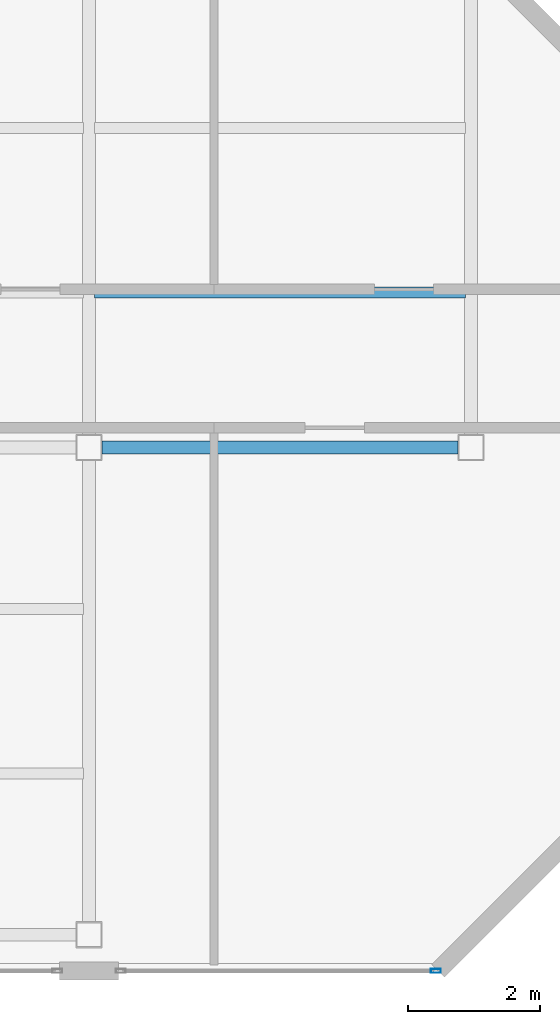
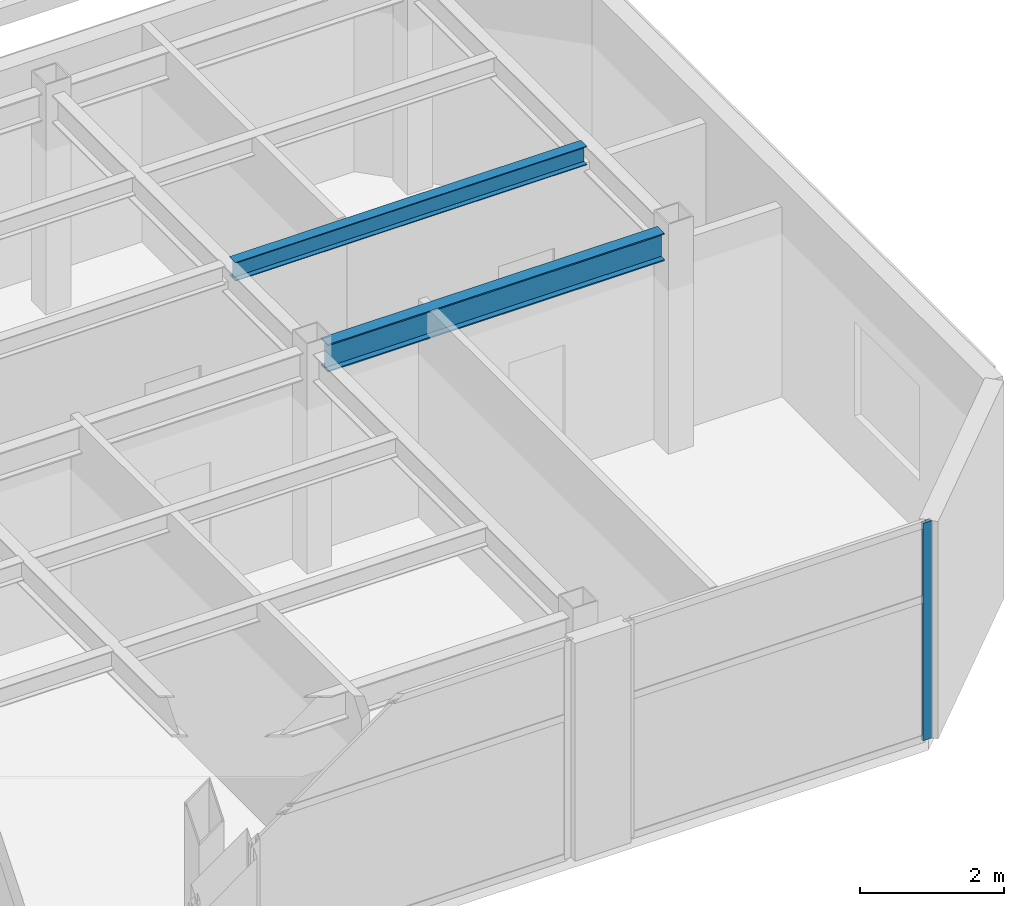
# One storey, part 7 of 15: 2 beams, 1 member, 1 element without a shape of its own.
"""IFC4 building model written with IfcOpenShell, lengths in metres."""

from ifc_helpers import new_model, si_unit, direction, frame, origin, origin_2d, place, context, subcontext, project, spatial, hollow_rectangle, i_section, extrude, material, layer, layer_set, material_profile, profile_set, type_object, element, aggregate, save


model = new_model("IFC4")

# Units and contexts
model_context = context("Model", 3, precision=1e-05, world=origin(), true_north=direction((0.0, 1.0)))
body_context = subcontext(model_context, "Body", "Model", "MODEL_VIEW")
ifc_project = project(units=[si_unit("LENGTHUNIT", "METRE"), si_unit("AREAUNIT", "SQUARE_METRE"), si_unit("VOLUMEUNIT", "CUBIC_METRE"), si_unit("PLANEANGLEUNIT", "RADIAN"), si_unit("MASSUNIT", "GRAM", prefix="KILO")], contexts=[model_context])

# Site, building, storey
site_placement = place(None, origin())
site = spatial("IfcSite", under=ifc_project, at=site_placement, CompositionType="ELEMENT")
building_placement = place(site_placement, origin())
building = spatial("IfcBuilding", under=site, at=building_placement, Name="Mawjaban Terraces University", CompositionType="ELEMENT")
storey_placement = place(building_placement, frame((0.0, 0.0, 295.0)))
storey = spatial("IfcBuildingStorey", under=building, at=storey_placement, Name="L72", CompositionType="ELEMENT", Elevation=295.0)

# Beams
ifc_material_1 = material(Name="Steel ASTM A572 Grade 50", Category="steel")
ifc_material_profile_1 = material_profile(ifc_material_1, i_section(OverallWidth=0.194091796875, OverallDepth=0.468994140625, WebThickness=0.011474609375, FlangeThickness=0.0205078125, at=origin_2d()), Name="W460X106")
ifc_profile_set_1 = profile_set([ifc_material_profile_1], Name="Steel ASTM A572 Grade 50")
beam_type_1 = type_object("IfcBeamType", Name="Beam_B_W460X106", PredefinedType="BEAM", material=ifc_profile_set_1)
beam_1_placement = place(storey_placement, frame((52.199951171875, 7.949951171875, 3.455078125), z_axis=(1.0, 0.0, 0.0), x_axis=(0.0, 1.0, 0.0)))
element("IfcBeam", 1, at=beam_1_placement, inside=storey, type_object=beam_type_1, Name="L72 Beam BM-L72-EW-05", PredefinedType="BEAM", context=body_context, shape_type="SweptSolid", body=[
    extrude(i_section(OverallWidth=0.194091796875, OverallDepth=0.468994140625, WebThickness=0.011474609375, FlangeThickness=0.0205078125, at=origin_2d()), origin(), (0.0, 0.0, 1.0), 5.400146484375),
])
ifc_material_profile_2 = material_profile(ifc_material_1, i_section(OverallWidth=0.1669921875, OverallDepth=0.318115234375, WebThickness=0.007568359375, FlangeThickness=0.01318359375, at=origin_2d()), Name="W310X52")
ifc_profile_set_2 = profile_set([ifc_material_profile_2], Name="Steel ASTM A572 Grade 50")
beam_type_2 = type_object("IfcBeamType", Name="Beam_J_W310X52", PredefinedType="JOIST", material=ifc_profile_set_2)
beam_2_placement = place(storey_placement, frame((52.080078125, 10.300048828125, 3.531005859375), z_axis=(1.0, 0.0, 0.0), x_axis=(0.0, 1.0, 0.0)))
element("IfcBeam", 2, at=beam_2_placement, inside=storey, type_object=beam_type_2, Name="L72 Composite Joist JST-L72-07", PredefinedType="JOIST", context=body_context, shape_type="SweptSolid", body=[
    extrude(i_section(OverallWidth=0.1669921875, OverallDepth=0.318115234375, WebThickness=0.007568359375, FlangeThickness=0.01318359375, at=origin_2d()), origin(), (0.0, 0.0, 1.0), 5.639892578125),
])

# Curtain wall, member
ifc_material_2 = material(Name="Anodised aluminium 6063-T6 and solar-control low-E glass", Category="aluminium")
ifc_layer = layer(ifc_material_2, 0.159912109375)
ifc_layer_set = layer_set([ifc_layer], Name="Anodised aluminium 6063-T6 and solar-control low-E glass")
curtain_wall_type = type_object("IfcCurtainWallType", Name="CWSystem_03_NorthWing", PredefinedType="NOTDEFINED", material=ifc_layer_set)
curtain_wall_placement = place(storey_placement, origin())
curtain_wall = element("IfcCurtainWall", 3, at=curtain_wall_placement, inside=storey, type_object=curtain_wall_type, Name="L72 Curtain Wall CW-03 Run 1.5", PredefinedType="NOTDEFINED")
ifc_material_3 = material(Name="Anodised aluminium 6063-T6", Category="aluminium")
ifc_material_profile_3 = material_profile(ifc_material_3, hollow_rectangle(XDim=0.06005859375, YDim=0.14990234375, WallThickness=0.00390625, at=origin_2d()), Name="ALU150X60X4")
ifc_profile_set_3 = profile_set([ifc_material_profile_3], Name="Anodised aluminium 6063-T6")
member_type = type_object("IfcMemberType", Name="Mullion_CW-03", PredefinedType="MULLION", material=ifc_profile_set_3)
member_placement = place(storey_placement, frame((57.267578125, 0.0, 0.0), z_axis=(0.0, 0.0, 1.0), x_axis=(0.0, 1.0, 0.0)))
member = element("IfcMember", 4, at=member_placement, type_object=member_type, Name="CW-03 mullion 2", PredefinedType="MULLION", context=body_context, shape_type="SweptSolid", body=[
    extrude(hollow_rectangle(XDim=0.06005859375, YDim=0.14990234375, WallThickness=0.00390625, at=origin_2d()), origin(), (0.0, 0.0, 1.0), 3.68994140625),
])
aggregate(curtain_wall, [member])

save(model, "model.ifc")
